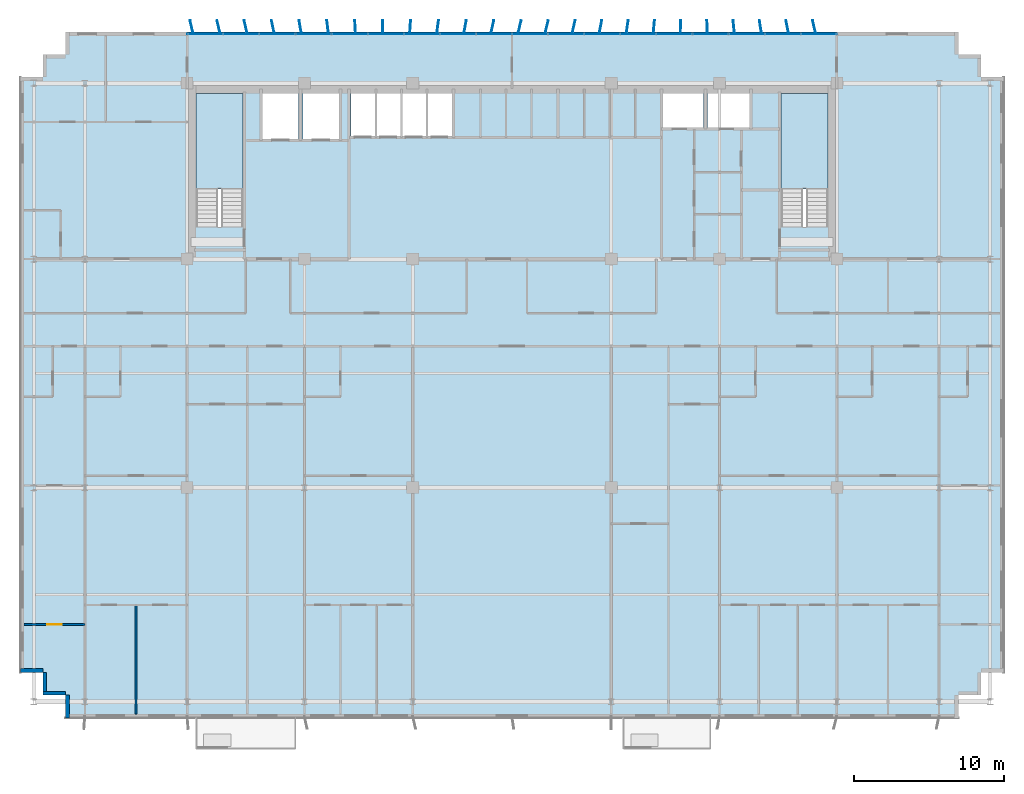
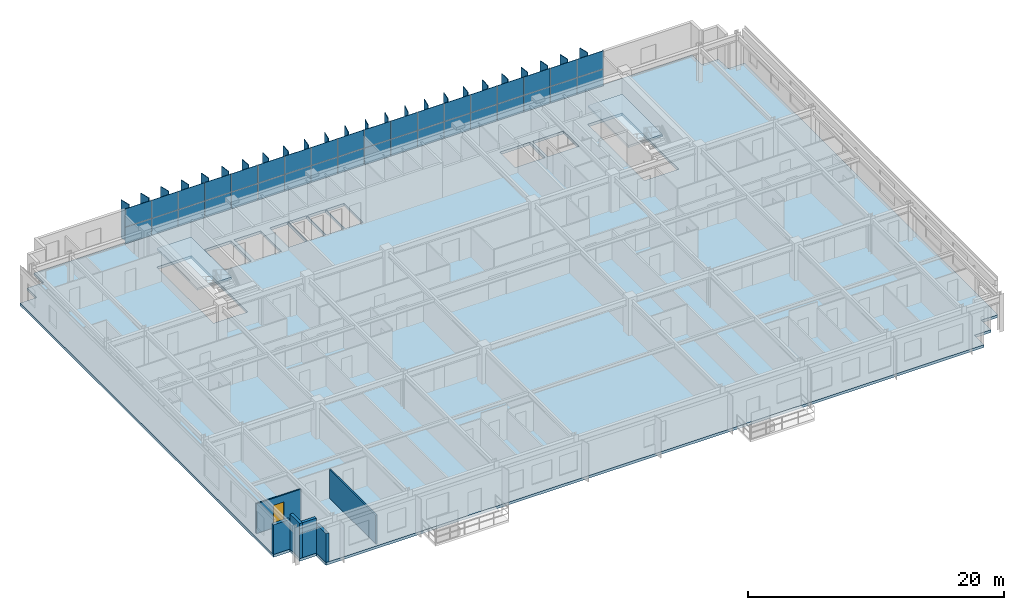
# One storey, part 13 of 22: 60 plates, 6 walls, 3 slabs, 1 door, 1 opening, 3 elements without a shape of their own.
"""IFC4 building model written with IfcOpenShell, lengths in metres."""

from ifc_helpers import new_model, si_unit, direction, frame, frame_2d, origin, origin_2d, place, context, subcontext, project, spatial, polyline, rectangle, outline, extrude, source, transform, mapped, material, layer, layer_set, type_object, element, fill, aggregate, save


model = new_model("IFC4")

# Units and contexts
model_context = context("Model", 3, precision=1e-05, world=origin(), true_north=direction((0.0, 1.0)))
body_context = subcontext(model_context, "Body", "Model", "MODEL_VIEW")
ifc_project = project(units=[si_unit("LENGTHUNIT", "METRE"), si_unit("AREAUNIT", "SQUARE_METRE"), si_unit("VOLUMEUNIT", "CUBIC_METRE"), si_unit("PLANEANGLEUNIT", "RADIAN"), si_unit("MASSUNIT", "GRAM", prefix="KILO")], contexts=[model_context])

# Site, building, storey
site_placement = place(None, origin())
site = spatial("IfcSite", under=ifc_project, at=site_placement, CompositionType="ELEMENT")
building_placement = place(site_placement, origin())
building = spatial("IfcBuilding", under=site, at=building_placement, Name="Trelvane Seafront Commons", CompositionType="ELEMENT")
storey_placement = place(building_placement, frame((0.0, 0.0, 99.699951171875)))
storey = spatial("IfcBuildingStorey", under=building, at=storey_placement, Name="L25", CompositionType="ELEMENT", Elevation=99.699951171875)

# Stair, slab
ifc_material_1 = material(Name="Concrete C40/50", Category="concrete")
stair_type_1 = type_object("IfcStairType", Name="ARCH-STR-ST-1-R20-180", PredefinedType="HALF_TURN_STAIR", material=ifc_material_1)
stair_1_placement = place(storey_placement, origin())
stair_1 = element("IfcStair", 1, at=stair_1_placement, inside=storey, type_object=stair_type_1, Name="L25 West Protected Firefighting Exit Stair ST-1", PredefinedType="HALF_TURN_STAIR")
ifc_layer_1 = layer(ifc_material_1, 0.199951171875, Name="ARCH-LND-200")
ifc_layer_set_1 = layer_set([ifc_layer_1], Name="Concrete C40/50")
slab_type_1 = type_object("IfcSlabType", Name="ARCH-LND-200", PredefinedType="LANDING", material=ifc_layer_set_1)
slab_1_placement = place(storey_placement, frame((0.0, 0.0, 1.60009765625)))
slab_1 = element("IfcSlab", 2, at=slab_1_placement, type_object=slab_type_1, Name="ST-1 landing 1", PredefinedType="LANDING", context=body_context, shape_type="SweptSolid", body=[
    extrude(outline(polyline([(19.300048828125, 38.070068359375), (19.300048828125, 44.39990234375), (16.199951171875, 44.39990234375), (16.199951171875, 38.070068359375), (19.300048828125, 38.070068359375)])), origin(), (0.0, 0.0, 1.0), 0.199951171875),
])
aggregate(stair_1, [slab_1])

stair_type_2 = type_object("IfcStairType", Name="ARCH-STR-ST-2-R20-180", PredefinedType="HALF_TURN_STAIR", material=ifc_material_1)
stair_2_placement = place(storey_placement, origin())
stair_2 = element("IfcStair", 3, at=stair_2_placement, inside=storey, type_object=stair_type_2, Name="L25 East Protected Firefighting Exit Stair ST-2", PredefinedType="HALF_TURN_STAIR")
slab_2_placement = place(storey_placement, frame((0.0, 0.0, 1.60009765625)))
slab_2 = element("IfcSlab", 4, at=slab_2_placement, type_object=slab_type_1, Name="ST-2 landing 1", PredefinedType="LANDING", context=body_context, shape_type="SweptSolid", body=[
    extrude(outline(polyline([(58.199951171875, 38.070068359375), (58.199951171875, 44.39990234375), (55.10009765625, 44.39990234375), (55.10009765625, 38.070068359375), (58.199951171875, 38.070068359375)])), origin(), (0.0, 0.0, 1.0), 0.199951171875),
])
aggregate(stair_2, [slab_2])

# Slab
ifc_material_2 = material(Name="Concrete C50/60", Category="concrete")
ifc_layer_2 = layer(ifc_material_2, 0.260009765625, Name="STR-SLB-Z1-260")
ifc_layer_set_2 = layer_set([ifc_layer_2], Name="Concrete C50/60")
slab_type_2 = type_object("IfcSlabType", Name="STR-SLB-Z1-260", PredefinedType="FLOOR", material=ifc_layer_set_2)
slab_3_placement = place(storey_placement, frame((0.0, 0.0, -0.260009765625)))
element("IfcSlab", 5, at=slab_3_placement, inside=storey, type_object=slab_type_2, Name="L25 Structural Floor Slab", PredefinedType="FLOOR", context=body_context, shape_type="SweptSolid", body=[
    extrude(outline(polyline([(7.5, 2.89990234375), (66.89990234375, 2.89990234375), (66.89990234375, 4.39990234375), (68.39990234375, 4.39990234375), (68.39990234375, 5.89990234375), (69.89990234375, 5.89990234375), (69.89990234375, 45.5), (68.39990234375, 45.5), (68.39990234375, 47.0), (66.89990234375, 47.0), (66.89990234375, 48.5), (7.5, 48.5), (7.5, 47.0), (6.0, 47.0), (6.0, 45.5), (4.5, 45.5), (4.5, 5.89990234375), (6.0, 5.89990234375), (6.0, 4.39990234375), (7.5, 4.39990234375), (7.5, 2.89990234375)]), holes=[polyline([(19.300048828125, 35.550048828125), (16.199951171875, 35.550048828125), (16.199951171875, 44.39990234375), (19.300048828125, 44.39990234375), (19.300048828125, 35.550048828125)]), polyline([(58.199951171875, 35.550048828125), (55.10009765625, 35.550048828125), (55.10009765625, 44.39990234375), (58.199951171875, 44.39990234375), (58.199951171875, 35.550048828125)]), polyline([(23.0, 41.39990234375), (20.60009765625, 41.39990234375), (20.60009765625, 44.60009765625), (23.0, 44.60009765625), (23.0, 41.39990234375)]), polyline([(23.300048828125, 41.39990234375), (23.300048828125, 44.60009765625), (25.699951171875, 44.60009765625), (25.699951171875, 41.39990234375), (23.300048828125, 41.39990234375)]), polyline([(26.5, 41.60009765625), (26.5, 44.60009765625), (28.1201171875, 44.60009765625), (28.1201171875, 41.60009765625), (26.5, 41.60009765625)]), polyline([(29.820068359375, 41.60009765625), (28.199951171875, 41.60009765625), (28.199951171875, 44.60009765625), (29.820068359375, 44.60009765625), (29.820068359375, 41.60009765625)]), polyline([(31.52001953125, 41.60009765625), (29.89990234375, 41.60009765625), (29.89990234375, 44.60009765625), (31.52001953125, 44.60009765625), (31.52001953125, 41.60009765625)]), polyline([(33.219970703125, 41.60009765625), (31.60009765625, 41.60009765625), (31.60009765625, 44.60009765625), (33.219970703125, 44.60009765625), (33.219970703125, 41.60009765625)]), polyline([(47.25, 42.14990234375), (47.25, 44.550048828125), (49.949951171875, 44.550048828125), (49.949951171875, 42.14990234375), (47.25, 42.14990234375)]), polyline([(50.199951171875, 42.14990234375), (50.199951171875, 44.550048828125), (53.0, 44.550048828125), (53.0, 42.14990234375), (50.199951171875, 42.14990234375)])]), origin(), (0.0, 0.0, 1.0), 0.260009765625),
])

# Plates
ifc_material_3 = material(Name="Anodised pale-silver aluminium", Category="aluminium")
ifc_layer_3 = layer(ifc_material_3, 0.06005859375, Name="ARCH-PLATE-FIN900")
ifc_layer_set_3 = layer_set([ifc_layer_3], Name="Anodised pale-silver aluminium")
plate_type_1 = type_object("IfcPlateType", Name="ARCH-PLATE-FIN900", PredefinedType="USERDEFINED", material=ifc_layer_set_3)
shared_shape_1 = source(origin(), body_context, "Body", "SweptSolid", [
    extrude(rectangle(XDim=0.89990234375, YDim=0.06005859375, at=origin_2d()), origin(), (0.0, 0.0, 1.0), 3.639892578125),
])
for number, where, z_axis, x_axis, name in (
    (6, (15.896240234375, 48.837890625, -0.02001953125), (0.0, 0.0, 1.0), (-0.230438679323, 0.973086848679, 0.0), "FIN-L25-00617"),
    (7, (17.691162109375, 48.836669921875, -0.02001953125), (0.0, 0.0, 1.0), (-0.241777946669, 0.970331605434, 0.0), "FIN-L25-00618"),
    (8, (19.494140625, 48.83740234375, -0.02001953125), (0.0, 0.0, 1.0), (-0.23544405952, 0.971887902403, 0.0), "FIN-L25-00619"),
    (9, (21.3046875, 48.839599609375, -0.02001953125), (0.0, 0.0, 1.0), (-0.21201052123, 0.977267383518, 0.0), "FIN-L25-00620"),
    (10, (23.122314453125, 48.84326171875, -0.02001953125), (0.0, 0.0, 1.0), (-0.172771513964, 0.98496193021, 0.0), "FIN-L25-00621"),
    (11, (24.94580078125, 48.8466796875, -0.02001953125), (0.0, 0.0, 1.0), (-0.120559603905, 0.992706090395, 0.0), "FIN-L25-00622"),
    (12, (26.7734375, 48.84912109375, -0.02001953125), (0.0, 0.0, 1.0), (-0.059001475809, 0.998257895462, 0.0), "FIN-L25-00623"),
    (13, (28.603271484375, 48.85009765625, -0.02001953125), (0.0, 0.0, 1.0), (0.007110411457, 0.999974720705, 0.0), "FIN-L25-00624"),
    (14, (30.4326171875, 48.848876953125, -0.02001953125), (0.0, 0.0, 1.0), (0.072668995254, 0.997356113496, 0.0), "FIN-L25-00625"),
    (15, (32.259765625, 48.845947265625, -0.02001953125), (0.0, 0.0, 1.0), (0.132548754073, 0.991176486703, 0.0), "FIN-L25-00626"),
    (16, (34.08203125, 48.84228515625, -0.02001953125), (0.0, 0.0, 1.0), (0.182336774635, 0.983236136752, 0.0), "FIN-L25-00627"),
    (17, (35.898193359375, 48.839111328125, -0.02001953125), (0.0, 0.0, 1.0), (0.218330599943, 0.975874863458, 0.0), "FIN-L25-00628"),
    (18, (37.707275390625, 48.8369140625, -0.02001953125), (0.0, 0.0, 1.0), (0.238219879573, 0.971211248378, 0.0), "FIN-L25-00629"),
    (19, (39.50830078125, 48.836669921875, -0.02001953125), (0.0, 0.0, 1.0), (0.240783707201, 0.970578799659, 0.0), "FIN-L25-00630"),
    (20, (41.301513671875, 48.83837890625, -0.02001953125), (0.0, 0.0, 1.0), (0.225768961932, 0.974180874288, 0.0), "FIN-L25-00631"),
    (21, (43.08740234375, 48.84130859375, -0.02001953125), (0.0, 0.0, 1.0), (0.194213806101, 0.980959223169, 0.0), "FIN-L25-00632"),
    (22, (44.86669921875, 48.84521484375, -0.02001953125), (0.0, 0.0, 1.0), (0.148106303696, 0.988971446911, 0.0), "FIN-L25-00633"),
    (23, (46.640869140625, 48.84814453125, -0.02001953125), (0.0, 0.0, 1.0), (0.090665604925, 0.995881392578, 0.0), "FIN-L25-00634"),
    (24, (48.411865234375, 48.849853515625, -0.02001953125), (0.0, 0.0, 1.0), (0.026222311291, 0.999656136074, 0.0), "FIN-L25-00635"),
    (25, (50.181884765625, 48.849609375, -0.02001953125), (0.0, 0.0, 1.0), (-0.040332342892, 0.999186320021, 0.0), "FIN-L25-00636"),
    (26, (51.953369140625, 48.84765625, -0.02001953125), (0.0, 0.0, 1.0), (-0.103660539498, 0.994612734963, 0.0), "FIN-L25-00637"),
    (27, (53.728515625, 48.84423828125, -0.02001953125), (0.0, 0.0, 1.0), (-0.158992118031, 0.987279852121, 0.0), "FIN-L25-00638"),
    (28, (55.509033203125, 48.8408203125, -0.02001953125), (0.0, 0.0, 1.0), (-0.202223269901, 0.979339445295, 0.0), "FIN-L25-00639"),
    (29, (57.29638671875, 48.837890625, -0.02001953125), (0.0, 0.0, 1.0), (-0.230438679323, 0.973086848679, 0.0), "FIN-L25-00640"),
):
    element("IfcPlate", number, at=place(storey_placement, frame(where, z_axis=z_axis, x_axis=x_axis)), inside=storey, type_object=plate_type_1, Name=name, ObjectType="FIN", PredefinedType="USERDEFINED", context=body_context, shape_type="MappedRepresentation", body=[
        mapped(shared_shape_1, transform((0.0, 0.0, 0.0), x_axis=(1.0, 0.0, 0.0), y_axis=(0.0, 1.0, 0.0), z_axis=(0.0, 0.0, 1.0), scale=1.0)),
    ])

# Curtain wall, plates
curtain_wall_type = type_object("IfcCurtainWallType", Name="ARCH-CW4-SKYLOBBY", PredefinedType="NOTDEFINED", material=ifc_material_3)
curtain_wall_placement = place(storey_placement, origin())
curtain_wall = element("IfcCurtainWall", 30, at=curtain_wall_placement, inside=storey, type_object=curtain_wall_type, Name="CW-L25-0050", PredefinedType="NOTDEFINED")
ifc_material_4 = material(Name="Low-E coastal double glazing", Category="glass")
ifc_layer_4 = layer(ifc_material_4, 0.033935546875, Name="ARCH-CW-GLAZ-34")
ifc_layer_set_4 = layer_set([ifc_layer_4], Name="Low-E coastal double glazing")
plate_type_2 = type_object("IfcPlateType", Name="ARCH-CW-GLAZ-34", PredefinedType="CURTAIN_PANEL", material=ifc_layer_set_4)
shared_shape_2 = source(origin(), body_context, "Body", "SweptSolid", [
    extrude(rectangle(XDim=2.3759765625, YDim=0.0400390625, at=origin_2d()), origin(), (0.0, 0.0, 1.0), 1.5849609375),
])
plate_1_placement = place(storey_placement, frame((16.800048828125, 48.3701171875, 0.0), z_axis=(0.0, 0.0, 1.0), x_axis=(1.0, 0.0, 0.0)))
plate_1 = element("IfcPlate", 31, at=plate_1_placement, type_object=plate_type_2, Name="CW-L25-0050-P00-1", PredefinedType="CURTAIN_PANEL", context=body_context, shape_type="MappedRepresentation", body=[
    mapped(shared_shape_2, transform((0.0, 0.0, 0.0), x_axis=(1.0, 0.0, 0.0), y_axis=(0.0, 1.0, 0.0), z_axis=(0.0, 0.0, 1.0), scale=1.0)),
])
plate_2_placement = place(storey_placement, frame((19.199951171875, 48.3701171875, 0.0), z_axis=(0.0, 0.0, 1.0), x_axis=(1.0, 0.0, 0.0)))
plate_2 = element("IfcPlate", 32, at=plate_2_placement, type_object=plate_type_2, Name="CW-L25-0050-P01-1", PredefinedType="CURTAIN_PANEL", context=body_context, shape_type="MappedRepresentation", body=[
    mapped(shared_shape_2, transform((0.0, 0.0, 0.0), x_axis=(1.0, 0.0, 0.0), y_axis=(0.0, 1.0, 0.0), z_axis=(0.0, 0.0, 1.0), scale=1.0)),
])
plate_3_placement = place(storey_placement, frame((21.60009765625, 48.3701171875, 0.0), z_axis=(0.0, 0.0, 1.0), x_axis=(1.0, 0.0, 0.0)))
plate_3 = element("IfcPlate", 33, at=plate_3_placement, type_object=plate_type_2, Name="CW-L25-0050-P02-1", PredefinedType="CURTAIN_PANEL", context=body_context, shape_type="MappedRepresentation", body=[
    mapped(shared_shape_2, transform((0.0, 0.0, 0.0), x_axis=(1.0, 0.0, 0.0), y_axis=(0.0, 1.0, 0.0), z_axis=(0.0, 0.0, 1.0), scale=1.0)),
])
plate_4_placement = place(storey_placement, frame((24.0, 48.3701171875, 0.0), z_axis=(0.0, 0.0, 1.0), x_axis=(1.0, 0.0, 0.0)))
plate_4 = element("IfcPlate", 34, at=plate_4_placement, type_object=plate_type_2, Name="CW-L25-0050-P03-1", PredefinedType="CURTAIN_PANEL", context=body_context, shape_type="MappedRepresentation", body=[
    mapped(shared_shape_2, transform((0.0, 0.0, 0.0), x_axis=(1.0, 0.0, 0.0), y_axis=(0.0, 1.0, 0.0), z_axis=(0.0, 0.0, 1.0), scale=1.0)),
])
plate_5_placement = place(storey_placement, frame((26.39990234375, 48.3701171875, 0.0), z_axis=(0.0, 0.0, 1.0), x_axis=(1.0, 0.0, 0.0)))
plate_5 = element("IfcPlate", 35, at=plate_5_placement, type_object=plate_type_2, Name="CW-L25-0050-P04-1", PredefinedType="CURTAIN_PANEL", context=body_context, shape_type="MappedRepresentation", body=[
    mapped(shared_shape_2, transform((0.0, 0.0, 0.0), x_axis=(1.0, 0.0, 0.0), y_axis=(0.0, 1.0, 0.0), z_axis=(0.0, 0.0, 1.0), scale=1.0)),
])
plate_6_placement = place(storey_placement, frame((28.800048828125, 48.3701171875, 0.0), z_axis=(0.0, 0.0, 1.0), x_axis=(1.0, 0.0, 0.0)))
plate_6 = element("IfcPlate", 36, at=plate_6_placement, type_object=plate_type_2, Name="CW-L25-0050-P05-1", PredefinedType="CURTAIN_PANEL", context=body_context, shape_type="MappedRepresentation", body=[
    mapped(shared_shape_2, transform((0.0, 0.0, 0.0), x_axis=(1.0, 0.0, 0.0), y_axis=(0.0, 1.0, 0.0), z_axis=(0.0, 0.0, 1.0), scale=1.0)),
])
plate_7_placement = place(storey_placement, frame((31.199951171875, 48.3701171875, 0.0), z_axis=(0.0, 0.0, 1.0), x_axis=(1.0, 0.0, 0.0)))
plate_7 = element("IfcPlate", 37, at=plate_7_placement, type_object=plate_type_2, Name="CW-L25-0050-P06-1", PredefinedType="CURTAIN_PANEL", context=body_context, shape_type="MappedRepresentation", body=[
    mapped(shared_shape_2, transform((0.0, 0.0, 0.0), x_axis=(1.0, 0.0, 0.0), y_axis=(0.0, 1.0, 0.0), z_axis=(0.0, 0.0, 1.0), scale=1.0)),
])
plate_8_placement = place(storey_placement, frame((33.60009765625, 48.3701171875, 0.0), z_axis=(0.0, 0.0, 1.0), x_axis=(1.0, 0.0, 0.0)))
plate_8 = element("IfcPlate", 38, at=plate_8_placement, type_object=plate_type_2, Name="CW-L25-0050-P07-1", PredefinedType="CURTAIN_PANEL", context=body_context, shape_type="MappedRepresentation", body=[
    mapped(shared_shape_2, transform((0.0, 0.0, 0.0), x_axis=(1.0, 0.0, 0.0), y_axis=(0.0, 1.0, 0.0), z_axis=(0.0, 0.0, 1.0), scale=1.0)),
])
plate_9_placement = place(storey_placement, frame((36.0, 48.3701171875, 0.0), z_axis=(0.0, 0.0, 1.0), x_axis=(1.0, 0.0, 0.0)))
plate_9 = element("IfcPlate", 39, at=plate_9_placement, type_object=plate_type_2, Name="CW-L25-0050-P08-1", PredefinedType="CURTAIN_PANEL", context=body_context, shape_type="MappedRepresentation", body=[
    mapped(shared_shape_2, transform((0.0, 0.0, 0.0), x_axis=(1.0, 0.0, 0.0), y_axis=(0.0, 1.0, 0.0), z_axis=(0.0, 0.0, 1.0), scale=1.0)),
])
plate_10_placement = place(storey_placement, frame((38.39990234375, 48.3701171875, 0.0), z_axis=(0.0, 0.0, 1.0), x_axis=(1.0, 0.0, 0.0)))
plate_10 = element("IfcPlate", 40, at=plate_10_placement, type_object=plate_type_2, Name="CW-L25-0050-P09-1", PredefinedType="CURTAIN_PANEL", context=body_context, shape_type="MappedRepresentation", body=[
    mapped(shared_shape_2, transform((0.0, 0.0, 0.0), x_axis=(1.0, 0.0, 0.0), y_axis=(0.0, 1.0, 0.0), z_axis=(0.0, 0.0, 1.0), scale=1.0)),
])
plate_11_placement = place(storey_placement, frame((40.800048828125, 48.3701171875, 0.0), z_axis=(0.0, 0.0, 1.0), x_axis=(1.0, 0.0, 0.0)))
plate_11 = element("IfcPlate", 41, at=plate_11_placement, type_object=plate_type_2, Name="CW-L25-0050-P10-1", PredefinedType="CURTAIN_PANEL", context=body_context, shape_type="MappedRepresentation", body=[
    mapped(shared_shape_2, transform((0.0, 0.0, 0.0), x_axis=(1.0, 0.0, 0.0), y_axis=(0.0, 1.0, 0.0), z_axis=(0.0, 0.0, 1.0), scale=1.0)),
])
plate_12_placement = place(storey_placement, frame((43.199951171875, 48.3701171875, 0.0), z_axis=(0.0, 0.0, 1.0), x_axis=(1.0, 0.0, 0.0)))
plate_12 = element("IfcPlate", 42, at=plate_12_placement, type_object=plate_type_2, Name="CW-L25-0050-P11-1", PredefinedType="CURTAIN_PANEL", context=body_context, shape_type="MappedRepresentation", body=[
    mapped(shared_shape_2, transform((0.0, 0.0, 0.0), x_axis=(1.0, 0.0, 0.0), y_axis=(0.0, 1.0, 0.0), z_axis=(0.0, 0.0, 1.0), scale=1.0)),
])
plate_13_placement = place(storey_placement, frame((45.60009765625, 48.3701171875, 0.0), z_axis=(0.0, 0.0, 1.0), x_axis=(1.0, 0.0, 0.0)))
plate_13 = element("IfcPlate", 43, at=plate_13_placement, type_object=plate_type_2, Name="CW-L25-0050-P12-1", PredefinedType="CURTAIN_PANEL", context=body_context, shape_type="MappedRepresentation", body=[
    mapped(shared_shape_2, transform((0.0, 0.0, 0.0), x_axis=(1.0, 0.0, 0.0), y_axis=(0.0, 1.0, 0.0), z_axis=(0.0, 0.0, 1.0), scale=1.0)),
])
plate_14_placement = place(storey_placement, frame((48.0, 48.3701171875, 0.0), z_axis=(0.0, 0.0, 1.0), x_axis=(1.0, 0.0, 0.0)))
plate_14 = element("IfcPlate", 44, at=plate_14_placement, type_object=plate_type_2, Name="CW-L25-0050-P13-1", PredefinedType="CURTAIN_PANEL", context=body_context, shape_type="MappedRepresentation", body=[
    mapped(shared_shape_2, transform((0.0, 0.0, 0.0), x_axis=(1.0, 0.0, 0.0), y_axis=(0.0, 1.0, 0.0), z_axis=(0.0, 0.0, 1.0), scale=1.0)),
])
plate_15_placement = place(storey_placement, frame((50.39990234375, 48.3701171875, 0.0), z_axis=(0.0, 0.0, 1.0), x_axis=(1.0, 0.0, 0.0)))
plate_15 = element("IfcPlate", 45, at=plate_15_placement, type_object=plate_type_2, Name="CW-L25-0050-P14-1", PredefinedType="CURTAIN_PANEL", context=body_context, shape_type="MappedRepresentation", body=[
    mapped(shared_shape_2, transform((0.0, 0.0, 0.0), x_axis=(1.0, 0.0, 0.0), y_axis=(0.0, 1.0, 0.0), z_axis=(0.0, 0.0, 1.0), scale=1.0)),
])
plate_16_placement = place(storey_placement, frame((52.800048828125, 48.3701171875, 0.0), z_axis=(0.0, 0.0, 1.0), x_axis=(1.0, 0.0, 0.0)))
plate_16 = element("IfcPlate", 46, at=plate_16_placement, type_object=plate_type_2, Name="CW-L25-0050-P15-1", PredefinedType="CURTAIN_PANEL", context=body_context, shape_type="MappedRepresentation", body=[
    mapped(shared_shape_2, transform((0.0, 0.0, 0.0), x_axis=(1.0, 0.0, 0.0), y_axis=(0.0, 1.0, 0.0), z_axis=(0.0, 0.0, 1.0), scale=1.0)),
])
plate_17_placement = place(storey_placement, frame((55.199951171875, 48.3701171875, 0.0), z_axis=(0.0, 0.0, 1.0), x_axis=(1.0, 0.0, 0.0)))
plate_17 = element("IfcPlate", 47, at=plate_17_placement, type_object=plate_type_2, Name="CW-L25-0050-P16-1", PredefinedType="CURTAIN_PANEL", context=body_context, shape_type="MappedRepresentation", body=[
    mapped(shared_shape_2, transform((0.0, 0.0, 0.0), x_axis=(1.0, 0.0, 0.0), y_axis=(0.0, 1.0, 0.0), z_axis=(0.0, 0.0, 1.0), scale=1.0)),
])
plate_18_placement = place(storey_placement, frame((57.60009765625, 48.3701171875, 0.0), z_axis=(0.0, 0.0, 1.0), x_axis=(1.0, 0.0, 0.0)))
plate_18 = element("IfcPlate", 48, at=plate_18_placement, type_object=plate_type_2, Name="CW-L25-0050-P17-1", PredefinedType="CURTAIN_PANEL", context=body_context, shape_type="MappedRepresentation", body=[
    mapped(shared_shape_2, transform((0.0, 0.0, 0.0), x_axis=(1.0, 0.0, 0.0), y_axis=(0.0, 1.0, 0.0), z_axis=(0.0, 0.0, 1.0), scale=1.0)),
])
shared_shape_3 = source(origin(), body_context, "Body", "SweptSolid", [
    extrude(rectangle(XDim=2.3759765625, YDim=0.0400390625, at=origin_2d()), origin(), (0.0, 0.0, 1.0), 1.718994140625),
])
plate_19_placement = place(storey_placement, frame((16.800048828125, 48.3701171875, 1.62109375), z_axis=(0.0, 0.0, 1.0), x_axis=(1.0, 0.0, 0.0)))
plate_19 = element("IfcPlate", 49, at=plate_19_placement, type_object=plate_type_2, Name="CW-L25-0050-P00-2", PredefinedType="CURTAIN_PANEL", context=body_context, shape_type="MappedRepresentation", body=[
    mapped(shared_shape_3, transform((0.0, 0.0, 0.0), x_axis=(1.0, 0.0, 0.0), y_axis=(0.0, 1.0, 0.0), z_axis=(0.0, 0.0, 1.0), scale=1.0)),
])
plate_20_placement = place(storey_placement, frame((19.199951171875, 48.3701171875, 1.62109375), z_axis=(0.0, 0.0, 1.0), x_axis=(1.0, 0.0, 0.0)))
plate_20 = element("IfcPlate", 50, at=plate_20_placement, type_object=plate_type_2, Name="CW-L25-0050-P01-2", PredefinedType="CURTAIN_PANEL", context=body_context, shape_type="MappedRepresentation", body=[
    mapped(shared_shape_3, transform((0.0, 0.0, 0.0), x_axis=(1.0, 0.0, 0.0), y_axis=(0.0, 1.0, 0.0), z_axis=(0.0, 0.0, 1.0), scale=1.0)),
])
plate_21_placement = place(storey_placement, frame((21.60009765625, 48.3701171875, 1.62109375), z_axis=(0.0, 0.0, 1.0), x_axis=(1.0, 0.0, 0.0)))
plate_21 = element("IfcPlate", 51, at=plate_21_placement, type_object=plate_type_2, Name="CW-L25-0050-P02-2", PredefinedType="CURTAIN_PANEL", context=body_context, shape_type="MappedRepresentation", body=[
    mapped(shared_shape_3, transform((0.0, 0.0, 0.0), x_axis=(1.0, 0.0, 0.0), y_axis=(0.0, 1.0, 0.0), z_axis=(0.0, 0.0, 1.0), scale=1.0)),
])
plate_22_placement = place(storey_placement, frame((24.0, 48.3701171875, 1.62109375), z_axis=(0.0, 0.0, 1.0), x_axis=(1.0, 0.0, 0.0)))
plate_22 = element("IfcPlate", 52, at=plate_22_placement, type_object=plate_type_2, Name="CW-L25-0050-P03-2", PredefinedType="CURTAIN_PANEL", context=body_context, shape_type="MappedRepresentation", body=[
    mapped(shared_shape_3, transform((0.0, 0.0, 0.0), x_axis=(1.0, 0.0, 0.0), y_axis=(0.0, 1.0, 0.0), z_axis=(0.0, 0.0, 1.0), scale=1.0)),
])
plate_23_placement = place(storey_placement, frame((26.39990234375, 48.3701171875, 1.62109375), z_axis=(0.0, 0.0, 1.0), x_axis=(1.0, 0.0, 0.0)))
plate_23 = element("IfcPlate", 53, at=plate_23_placement, type_object=plate_type_2, Name="CW-L25-0050-P04-2", PredefinedType="CURTAIN_PANEL", context=body_context, shape_type="MappedRepresentation", body=[
    mapped(shared_shape_3, transform((0.0, 0.0, 0.0), x_axis=(1.0, 0.0, 0.0), y_axis=(0.0, 1.0, 0.0), z_axis=(0.0, 0.0, 1.0), scale=1.0)),
])
plate_24_placement = place(storey_placement, frame((28.800048828125, 48.3701171875, 1.62109375), z_axis=(0.0, 0.0, 1.0), x_axis=(1.0, 0.0, 0.0)))
plate_24 = element("IfcPlate", 54, at=plate_24_placement, type_object=plate_type_2, Name="CW-L25-0050-P05-2", PredefinedType="CURTAIN_PANEL", context=body_context, shape_type="MappedRepresentation", body=[
    mapped(shared_shape_3, transform((0.0, 0.0, 0.0), x_axis=(1.0, 0.0, 0.0), y_axis=(0.0, 1.0, 0.0), z_axis=(0.0, 0.0, 1.0), scale=1.0)),
])
plate_25_placement = place(storey_placement, frame((31.199951171875, 48.3701171875, 1.62109375), z_axis=(0.0, 0.0, 1.0), x_axis=(1.0, 0.0, 0.0)))
plate_25 = element("IfcPlate", 55, at=plate_25_placement, type_object=plate_type_2, Name="CW-L25-0050-P06-2", PredefinedType="CURTAIN_PANEL", context=body_context, shape_type="MappedRepresentation", body=[
    mapped(shared_shape_3, transform((0.0, 0.0, 0.0), x_axis=(1.0, 0.0, 0.0), y_axis=(0.0, 1.0, 0.0), z_axis=(0.0, 0.0, 1.0), scale=1.0)),
])
plate_26_placement = place(storey_placement, frame((33.60009765625, 48.3701171875, 1.62109375), z_axis=(0.0, 0.0, 1.0), x_axis=(1.0, 0.0, 0.0)))
plate_26 = element("IfcPlate", 56, at=plate_26_placement, type_object=plate_type_2, Name="CW-L25-0050-P07-2", PredefinedType="CURTAIN_PANEL", context=body_context, shape_type="MappedRepresentation", body=[
    mapped(shared_shape_3, transform((0.0, 0.0, 0.0), x_axis=(1.0, 0.0, 0.0), y_axis=(0.0, 1.0, 0.0), z_axis=(0.0, 0.0, 1.0), scale=1.0)),
])
plate_27_placement = place(storey_placement, frame((36.0, 48.3701171875, 1.62109375), z_axis=(0.0, 0.0, 1.0), x_axis=(1.0, 0.0, 0.0)))
plate_27 = element("IfcPlate", 57, at=plate_27_placement, type_object=plate_type_2, Name="CW-L25-0050-P08-2", PredefinedType="CURTAIN_PANEL", context=body_context, shape_type="MappedRepresentation", body=[
    mapped(shared_shape_3, transform((0.0, 0.0, 0.0), x_axis=(1.0, 0.0, 0.0), y_axis=(0.0, 1.0, 0.0), z_axis=(0.0, 0.0, 1.0), scale=1.0)),
])
plate_28_placement = place(storey_placement, frame((38.39990234375, 48.3701171875, 1.62109375), z_axis=(0.0, 0.0, 1.0), x_axis=(1.0, 0.0, 0.0)))
plate_28 = element("IfcPlate", 58, at=plate_28_placement, type_object=plate_type_2, Name="CW-L25-0050-P09-2", PredefinedType="CURTAIN_PANEL", context=body_context, shape_type="MappedRepresentation", body=[
    mapped(shared_shape_3, transform((0.0, 0.0, 0.0), x_axis=(1.0, 0.0, 0.0), y_axis=(0.0, 1.0, 0.0), z_axis=(0.0, 0.0, 1.0), scale=1.0)),
])
plate_29_placement = place(storey_placement, frame((40.800048828125, 48.3701171875, 1.62109375), z_axis=(0.0, 0.0, 1.0), x_axis=(1.0, 0.0, 0.0)))
plate_29 = element("IfcPlate", 59, at=plate_29_placement, type_object=plate_type_2, Name="CW-L25-0050-P10-2", PredefinedType="CURTAIN_PANEL", context=body_context, shape_type="MappedRepresentation", body=[
    mapped(shared_shape_3, transform((0.0, 0.0, 0.0), x_axis=(1.0, 0.0, 0.0), y_axis=(0.0, 1.0, 0.0), z_axis=(0.0, 0.0, 1.0), scale=1.0)),
])
plate_30_placement = place(storey_placement, frame((43.199951171875, 48.3701171875, 1.62109375), z_axis=(0.0, 0.0, 1.0), x_axis=(1.0, 0.0, 0.0)))
plate_30 = element("IfcPlate", 60, at=plate_30_placement, type_object=plate_type_2, Name="CW-L25-0050-P11-2", PredefinedType="CURTAIN_PANEL", context=body_context, shape_type="MappedRepresentation", body=[
    mapped(shared_shape_3, transform((0.0, 0.0, 0.0), x_axis=(1.0, 0.0, 0.0), y_axis=(0.0, 1.0, 0.0), z_axis=(0.0, 0.0, 1.0), scale=1.0)),
])
plate_31_placement = place(storey_placement, frame((45.60009765625, 48.3701171875, 1.62109375), z_axis=(0.0, 0.0, 1.0), x_axis=(1.0, 0.0, 0.0)))
plate_31 = element("IfcPlate", 61, at=plate_31_placement, type_object=plate_type_2, Name="CW-L25-0050-P12-2", PredefinedType="CURTAIN_PANEL", context=body_context, shape_type="MappedRepresentation", body=[
    mapped(shared_shape_3, transform((0.0, 0.0, 0.0), x_axis=(1.0, 0.0, 0.0), y_axis=(0.0, 1.0, 0.0), z_axis=(0.0, 0.0, 1.0), scale=1.0)),
])
plate_32_placement = place(storey_placement, frame((48.0, 48.3701171875, 1.62109375), z_axis=(0.0, 0.0, 1.0), x_axis=(1.0, 0.0, 0.0)))
plate_32 = element("IfcPlate", 62, at=plate_32_placement, type_object=plate_type_2, Name="CW-L25-0050-P13-2", PredefinedType="CURTAIN_PANEL", context=body_context, shape_type="MappedRepresentation", body=[
    mapped(shared_shape_3, transform((0.0, 0.0, 0.0), x_axis=(1.0, 0.0, 0.0), y_axis=(0.0, 1.0, 0.0), z_axis=(0.0, 0.0, 1.0), scale=1.0)),
])
plate_33_placement = place(storey_placement, frame((50.39990234375, 48.3701171875, 1.62109375), z_axis=(0.0, 0.0, 1.0), x_axis=(1.0, 0.0, 0.0)))
plate_33 = element("IfcPlate", 63, at=plate_33_placement, type_object=plate_type_2, Name="CW-L25-0050-P14-2", PredefinedType="CURTAIN_PANEL", context=body_context, shape_type="MappedRepresentation", body=[
    mapped(shared_shape_3, transform((0.0, 0.0, 0.0), x_axis=(1.0, 0.0, 0.0), y_axis=(0.0, 1.0, 0.0), z_axis=(0.0, 0.0, 1.0), scale=1.0)),
])
plate_34_placement = place(storey_placement, frame((52.800048828125, 48.3701171875, 1.62109375), z_axis=(0.0, 0.0, 1.0), x_axis=(1.0, 0.0, 0.0)))
plate_34 = element("IfcPlate", 64, at=plate_34_placement, type_object=plate_type_2, Name="CW-L25-0050-P15-2", PredefinedType="CURTAIN_PANEL", context=body_context, shape_type="MappedRepresentation", body=[
    mapped(shared_shape_3, transform((0.0, 0.0, 0.0), x_axis=(1.0, 0.0, 0.0), y_axis=(0.0, 1.0, 0.0), z_axis=(0.0, 0.0, 1.0), scale=1.0)),
])
plate_35_placement = place(storey_placement, frame((55.199951171875, 48.3701171875, 1.62109375), z_axis=(0.0, 0.0, 1.0), x_axis=(1.0, 0.0, 0.0)))
plate_35 = element("IfcPlate", 65, at=plate_35_placement, type_object=plate_type_2, Name="CW-L25-0050-P16-2", PredefinedType="CURTAIN_PANEL", context=body_context, shape_type="MappedRepresentation", body=[
    mapped(shared_shape_3, transform((0.0, 0.0, 0.0), x_axis=(1.0, 0.0, 0.0), y_axis=(0.0, 1.0, 0.0), z_axis=(0.0, 0.0, 1.0), scale=1.0)),
])
plate_36_placement = place(storey_placement, frame((57.60009765625, 48.3701171875, 1.62109375), z_axis=(0.0, 0.0, 1.0), x_axis=(1.0, 0.0, 0.0)))
plate_36 = element("IfcPlate", 66, at=plate_36_placement, type_object=plate_type_2, Name="CW-L25-0050-P17-2", PredefinedType="CURTAIN_PANEL", context=body_context, shape_type="MappedRepresentation", body=[
    mapped(shared_shape_3, transform((0.0, 0.0, 0.0), x_axis=(1.0, 0.0, 0.0), y_axis=(0.0, 1.0, 0.0), z_axis=(0.0, 0.0, 1.0), scale=1.0)),
])
aggregate(curtain_wall, [plate_1, plate_19, plate_2, plate_20, plate_3, plate_21, plate_4, plate_22, plate_5, plate_23, plate_6, plate_24, plate_7, plate_25, plate_8, plate_26, plate_9, plate_27, plate_10, plate_28, plate_11, plate_29, plate_12, plate_30, plate_13, plate_31, plate_14, plate_32, plate_15, plate_33, plate_16, plate_34, plate_17, plate_35, plate_18, plate_36])

# Walls
ifc_material_5 = material(Name="Precast concrete C40/50", Category="concrete")
ifc_layer_5 = layer(ifc_material_5, 0.260009765625, Name="ARCH-WALL-EXT260")
ifc_layer_set_5 = layer_set([ifc_layer_5], Name="Precast concrete C40/50")
wall_type_1 = type_object("IfcWallType", Name="ARCH-WALL-EXT260", PredefinedType="SOLIDWALL", material=ifc_layer_set_5)
for number, where, z_axis, x_axis, name in (
    (67, (7.5, 4.530029296875, 0.0), (0.0, 0.0, 1.0), (-1.0, 0.0, 0.0), "EW-L25-00456"),
    (68, (6.1298828125, 4.39990234375, 0.0), (0.0, 0.0, 1.0), (0.0, 1.0, 0.0), "EW-L25-00457"),
):
    element("IfcWall", number, at=place(storey_placement, frame(where, z_axis=z_axis, x_axis=x_axis)), inside=storey, type_object=wall_type_1, Name=name, PredefinedType="SOLIDWALL", context=body_context, shape_type="SweptSolid", body=[
        extrude(rectangle(XDim=1.5, YDim=0.260009765625, at=frame_2d((0.75, 0.0))), origin(), (0.0, 0.0, 1.0), 3.340087890625),
    ])
wall_1_placement = place(storey_placement, frame((6.0, 6.030029296875, 0.0), z_axis=(0.0, 0.0, 1.0), x_axis=(-1.0, 0.0, 0.0)))
element("IfcWall", 69, at=wall_1_placement, inside=storey, type_object=wall_type_1, Name="EW-L25-00458", PredefinedType="SOLIDWALL", context=body_context, shape_type="SweptSolid", body=[
    extrude(rectangle(XDim=1.5, YDim=0.260009765625, at=frame_2d((0.75, 0.0))), origin(), (0.0, 0.0, 1.0), 2.840087890625),
])
wall_2_placement = place(storey_placement, frame((7.6298828125, 2.89990234375, 0.0), z_axis=(0.0, 0.0, 1.0), x_axis=(0.0, 1.0, 0.0)))
element("IfcWall", 70, at=wall_2_placement, inside=storey, type_object=wall_type_1, Name="EW-L25-00474", PredefinedType="SOLIDWALL", context=body_context, shape_type="SweptSolid", body=[
    extrude(rectangle(XDim=1.5, YDim=0.260009765625, at=frame_2d((0.75, 0.0))), origin(), (0.0, 0.0, 1.0), 2.751953125),
])

# Wall, opening, door
ifc_material_6 = material(Name="Gypsum Drywall Acoustic Partition")
ifc_layer_6 = layer(ifc_material_6, 0.1201171875, Name="ARCH-WALL-PART120")
ifc_layer_set_6 = layer_set([ifc_layer_6], Name="Gypsum Drywall Acoustic Partition")
wall_type_2 = type_object("IfcWallType", Name="ARCH-WALL-PART120", PredefinedType="PARTITIONING", material=ifc_layer_set_6)
wall_3_placement = place(storey_placement, frame((4.760009765625, 9.10009765625, 0.0), z_axis=(0.0, 0.0, 1.0), x_axis=(1.0, 0.0, 0.0)))
wall_3 = element("IfcWall", 71, at=wall_3_placement, inside=storey, type_object=wall_type_2, Name="W-L25-U1-YM-1-074", PredefinedType="PARTITIONING", context=body_context, shape_type="SweptSolid", body=[
    extrude(rectangle(XDim=4.0400390625, YDim=0.1201171875, at=frame_2d((2.02001953125, 0.0))), origin(), (0.0, 0.0, 1.0), 2.840087890625),
])
opening_placement = place(wall_3_placement, frame((1.544921875, 0.0, 0.0)))
opening = element("IfcOpeningElement", 72, at=opening_placement, cuts=wall_3, Name="Opening D-L25-35", PredefinedType="OPENING", context=body_context, shape_type="SweptSolid", body=[
    extrude(rectangle(XDim=0.949951171875, YDim=2.14990234375, at=frame_2d((0.47509765625, 1.074951171875))), frame((0.0, 0.070068359375, 0.0), z_axis=(0.0, -1.0, 0.0), x_axis=(1.0, 0.0, 0.0)), (0.0, 0.0, 1.0), 0.14013671875),
])
ifc_material_7 = material(Name="Acoustic timber door leaf", Category="wood")
door_type = type_object("IfcDoorType", Name="ARCH-DR-INT950", OperationType="NOTDEFINED", PredefinedType="DOOR", material=ifc_material_7)
shared_shape_4 = source(origin(), body_context, "Body", "SweptSolid", [
    extrude(rectangle(XDim=0.949951171875, YDim=2.14990234375, at=frame_2d((0.47509765625, 1.074951171875))), frame((0.0, 0.02490234375, 0.0), z_axis=(0.0, -1.0, 0.0), x_axis=(1.0, 0.0, 0.0)), (0.0, 0.0, 1.0), 0.050048828125),
])
door_placement = place(opening_placement, origin())
door = element("IfcDoor", 73, at=door_placement, inside=storey, type_object=door_type, Name="L25 Door 35", OperationType="SINGLE_SWING_LEFT", OverallHeight=2.14990234375, OverallWidth=0.949951171875, PredefinedType="DOOR", context=body_context, shape_type="MappedRepresentation", body=[
    mapped(shared_shape_4, transform((0.0, 0.0, 0.0), x_axis=(1.0, 0.0, 0.0), y_axis=(0.0, 1.0, 0.0), z_axis=(0.0, 0.0, 1.0), scale=1.0)),
])
fill(opening, door)

# Wall
wall_4_placement = place(storey_placement, frame((12.199951171875, 3.14501953125, 0.0), z_axis=(0.0, 0.0, 1.0), x_axis=(0.0, 1.0, 0.0)))
element("IfcWall", 74, at=wall_4_placement, inside=storey, type_object=wall_type_2, Name="W-L25-U2-BDV-1-081", PredefinedType="PARTITIONING", context=body_context, shape_type="SweptSolid", body=[
    extrude(rectangle(XDim=7.2548828125, YDim=0.1201171875, at=frame_2d((3.62744140625, 0.0))), origin(), (0.0, 0.0, 1.0), 2.751953125),
])

save(model, "model.ifc")
